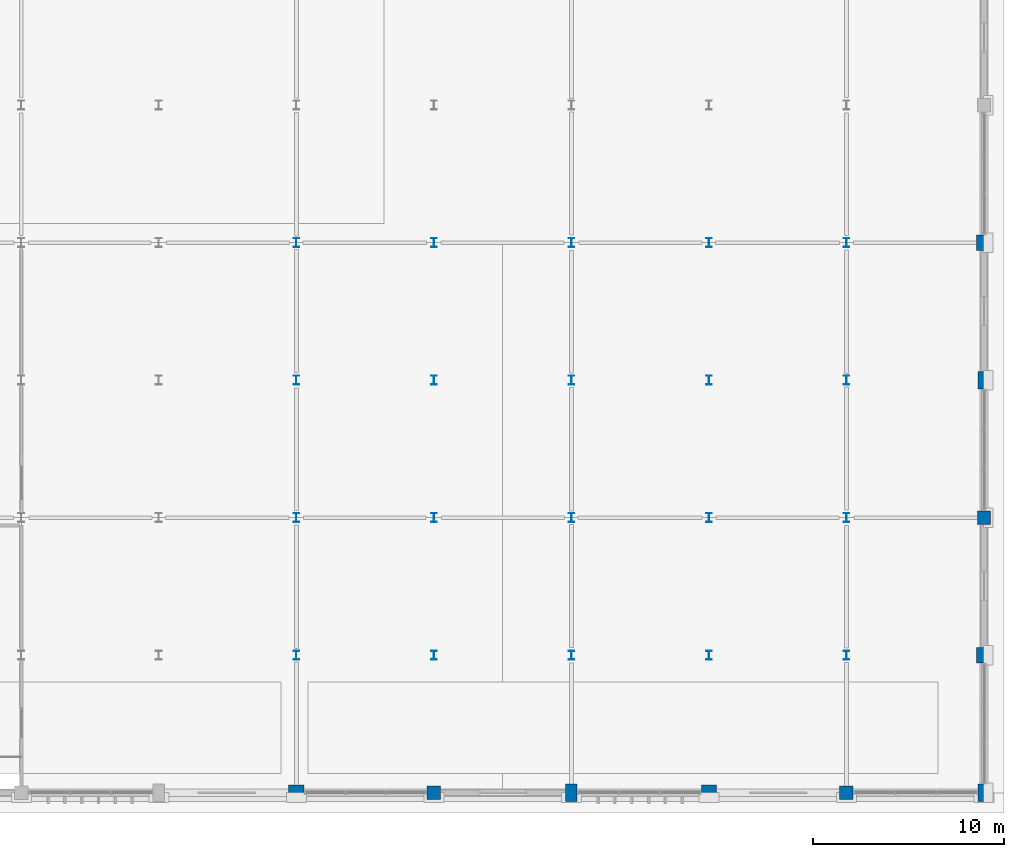
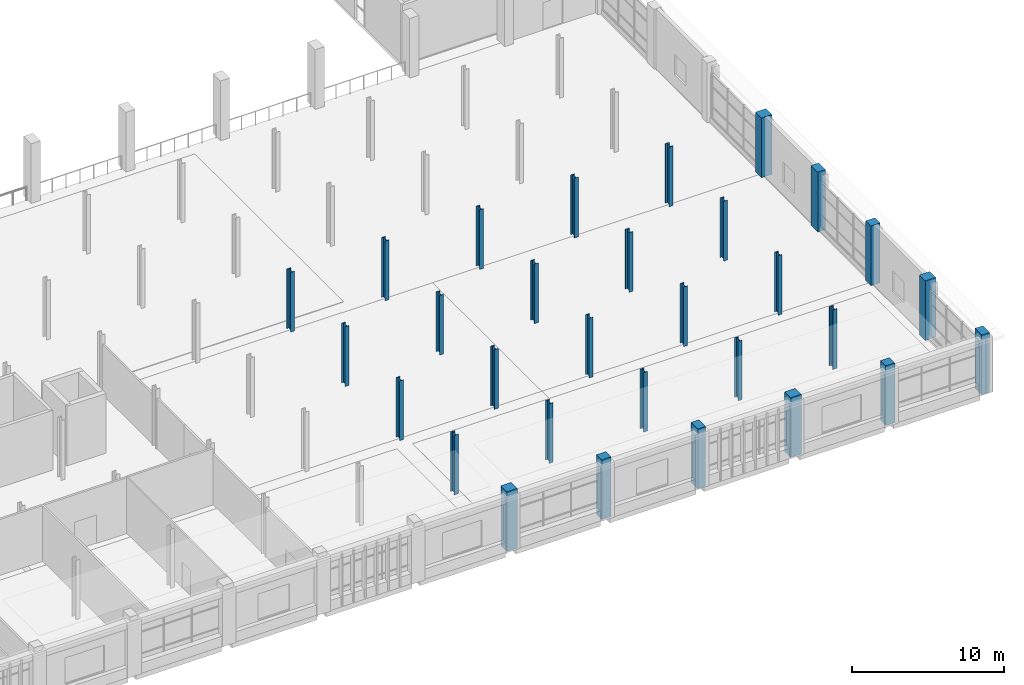
# One storey, part 13 of 82: 30 columns.
"""IFC4 building model written with IfcOpenShell, lengths in metres."""

import ifcopenshell
import ifcopenshell.guid

model = None  # the IFC model being written
_history = None  # IfcOwnerHistory: only IFC2X3 demands one
_inside = {}  # id of a spatial element -> (the spatial element, [elements in it])
_under = {}  # id of a project, library or spatial element -> (it, [spatial elements below it])
_declared = {}  # id of a project -> (the project, [libraries it declares])
_typed = {}  # id of a type object -> (the type object, [elements of that type])
_made_of = {}  # id of a material, layer set ... -> (it, [elements and type objects made of it])


def new_model(schema):
    """Start an empty IFC model of exactly this schema.

    Asked for "IFC4X3", IfcOpenShell would pick the latest addendum, in which some entities
    have other attributes; the version numbers below select the first issue.
    IFC2X3 requires an IfcOwnerHistory on every rooted entity: one is made here for all.
    """
    global model, _history
    if schema == "IFC4X3":
        model = ifcopenshell.file(schema_version=(4, 3, 0, 0))
    else:
        model = ifcopenshell.file(schema=schema)
    _inside.clear()
    _under.clear()
    _declared.clear()
    _typed.clear()
    _made_of.clear()
    _history = None
    if model.schema == "IFC2X3":
        org = make("IfcOrganization", Name="unknown")
        user = make(
            "IfcPersonAndOrganization",
            ThePerson=make("IfcPerson", FamilyName="unknown"),
            TheOrganization=org,
        )
        app = make(
            "IfcApplication",
            ApplicationDeveloper=org,
            Version="unknown",
            ApplicationFullName="unknown",
            ApplicationIdentifier="unknown",
        )
        _history = make(
            "IfcOwnerHistory",
            OwningUser=user,
            OwningApplication=app,
            ChangeAction="ADDED",
            CreationDate=0,
        )
    return model


def make(cls, **values):
    """One entity of the class cls with the attributes given. An attribute that is None is left unset."""
    return model.create_entity(
        cls, **{name: value for name, value in values.items() if value is not None}
    )


def rooted(cls, **values):
    """An entity with a GlobalId (a new one), such as an element, a storey or a relation."""
    return make(cls, GlobalId=ifcopenshell.guid.new(), OwnerHistory=_history, **values)


def si_unit(unit_type, name, prefix=None):
    """IfcSIUnit, for example si_unit("LENGTHUNIT", "METRE", prefix="MILLI")."""
    return make("IfcSIUnit", UnitType=unit_type, Prefix=prefix, Name=name)


def assignment(units):
    """IfcUnitAssignment: the units of a project."""
    return None if units is None else make("IfcUnitAssignment", Units=units)


def point(xyz):
    """IfcCartesianPoint."""
    return None if xyz is None else make("IfcCartesianPoint", Coordinates=xyz)


def direction(xyz):
    """IfcDirection."""
    return None if xyz is None else make("IfcDirection", DirectionRatios=xyz)


def frame(location, z_axis=None, x_axis=None):
    """IfcAxis2Placement3D, a coordinate frame: its origin and axes. An axis left out is left unset."""
    return make(
        "IfcAxis2Placement3D",
        Location=point(location),
        Axis=direction(z_axis),
        RefDirection=direction(x_axis),
    )


def frame_2d(location, x_axis=None):
    """IfcAxis2Placement2D, a coordinate frame in the plane: its origin and x axis."""
    return make(
        "IfcAxis2Placement2D", Location=point(location), RefDirection=direction(x_axis)
    )


def origin():
    """The frame at (0, 0, 0) with its axes left unset."""
    return frame((0.0, 0.0, 0.0))


def origin_2d():
    """The frame at (0, 0) in the plane with its x axis left unset."""
    return frame_2d((0.0, 0.0))


def place(relative_to, where):
    """IfcLocalPlacement: puts the frame where relative to a parent placement (None: the world)."""
    return make(
        "IfcLocalPlacement", PlacementRelTo=relative_to, RelativePlacement=where
    )


def context(
    kind, dimensions, precision=None, world=None, true_north=None, identifier=None
):
    """IfcGeometricRepresentationContext, for example the 3D "Model" context."""
    return make(
        "IfcGeometricRepresentationContext",
        ContextIdentifier=identifier,
        ContextType=kind,
        CoordinateSpaceDimension=dimensions,
        Precision=precision,
        WorldCoordinateSystem=world,
        TrueNorth=true_north,
    )


def subcontext(parent, identifier, kind, view, scale=None):
    """IfcGeometricRepresentationSubContext, for example "Body" below "Model"."""
    return make(
        "IfcGeometricRepresentationSubContext",
        ContextIdentifier=identifier,
        ContextType=kind,
        ParentContext=parent,
        TargetScale=scale,
        TargetView=view,
    )


def project(units=None, contexts=None):
    """IfcProject with its units and contexts."""
    return rooted(
        "IfcProject",
        Name="project",
        RepresentationContexts=contexts,
        UnitsInContext=assignment(units),
    )


def spatial(cls, under=None, at=None, **own):
    """A site, building, storey or space (cls), placed at a placement, below another one or the project."""
    s = rooted(cls, ObjectPlacement=at, **own)
    if under is not None:
        _under.setdefault(under.id(), (under, []))[1].append(s)
    return s


def profile(cls, at=None, kind="AREA", **sizes):
    """A parametric profile (cls). Its sizes go by their IFC names, for example OverallWidth=200.0."""
    return make(cls, ProfileType=kind, Position=at, **sizes)


def rectangle(**sizes):
    """IfcRectangleProfileDef."""
    return profile("IfcRectangleProfileDef", **sizes)


def i_section(**sizes):
    """IfcIShapeProfileDef."""
    return profile("IfcIShapeProfileDef", **sizes)


def extrude(swept, where, along, depth):
    """IfcExtrudedAreaSolid: the profile swept, set in the frame where, extruded along a direction by depth."""
    return make(
        "IfcExtrudedAreaSolid",
        SweptArea=swept,
        Position=where,
        ExtrudedDirection=direction(along),
        Depth=depth,
    )


def shape(context_of_items, identifier, shape_type, items):
    """IfcShapeRepresentation: the items that make up one representation, for example the "Body"."""
    return make(
        "IfcShapeRepresentation",
        ContextOfItems=context_of_items,
        RepresentationIdentifier=identifier,
        RepresentationType=shape_type,
        Items=items,
    )


def material(Name=None, Category=None):
    """IfcMaterial."""
    return make("IfcMaterial", Name=Name, Category=Category)


def material_profile(
    of_material, cross_section, Name=None, Category=None, Priority=None
):
    """IfcMaterialProfile: a cross section and its material."""
    return make(
        "IfcMaterialProfile",
        Name=Name,
        Material=of_material,
        Profile=cross_section,
        Priority=Priority,
        Category=Category,
    )


def profile_set(profiles, Name=None, composite=None):
    """IfcMaterialProfileSet."""
    return make(
        "IfcMaterialProfileSet",
        Name=Name,
        MaterialProfiles=profiles,
        CompositeProfile=composite,
    )


def made_of(thing, what):
    """Note that an element or type object is made of a material, layer set ...; save() writes the relation."""
    if what is not None:
        _made_of.setdefault(what.id(), (what, []))[1].append(thing)
    return thing


def type_object(cls, material=None, **own):
    """A type object (cls), such as IfcWallType, which elements share."""
    return made_of(rooted(cls, **own), material)


def element(
    cls,
    number,
    at=None,
    inside=None,
    cuts=None,
    type_object=None,
    material=None,
    context=None,
    identifier="Body",
    shape_type=None,
    held_by="IfcProductDefinitionShape",
    body=None,
    shapes=None,
    **own,
):
    """One element of the class cls, such as IfcWall. Its Tag is "e" and its number.

    at: its placement. inside: the storey or other place that contains it. cuts: it is an
    opening in that element (IfcRelVoidsElement). A single representation is given by context,
    identifier, shape_type and body (its items); several are given by shapes. held_by: the class
    of the entity that holds the representations. save() writes the other relations.
    """
    e = rooted(cls, Tag="e%d" % number, ObjectPlacement=at, **own)
    if body is not None:
        shapes = [shape(context, identifier, shape_type, body)]
    if shapes is not None:
        e.Representation = make(held_by, Representations=shapes)
    if inside is not None:
        _inside.setdefault(inside.id(), (inside, []))[1].append(e)
    if cuts is not None:
        rooted(
            "IfcRelVoidsElement", RelatingBuildingElement=cuts, RelatedOpeningElement=e
        )
    if type_object is not None:
        _typed.setdefault(type_object.id(), (type_object, []))[1].append(e)
    return made_of(e, material)


def aggregate(whole, parts):
    """IfcRelAggregates: a whole, such as a stair, and the parts it consists of."""
    return rooted("IfcRelAggregates", RelatingObject=whole, RelatedObjects=parts)


def save(model, path):
    """Write the relations noted so far, then the file.

    IfcRelAggregates (storeys below a building ...), IfcRelContainedInSpatialStructure (elements
    in a storey), IfcRelDefinesByType, IfcRelAssociatesMaterial and IfcRelDeclares: one each for
    every whole, place, type object, material and project.
    """
    for whole, parts in _under.values():
        aggregate(whole, parts)
    for where, things in _inside.values():
        rooted(
            "IfcRelContainedInSpatialStructure",
            RelatedElements=things,
            RelatingStructure=where,
        )
    for kind, things in _typed.values():
        rooted("IfcRelDefinesByType", RelatedObjects=things, RelatingType=kind)
    for what, things in _made_of.values():
        rooted("IfcRelAssociatesMaterial", RelatedObjects=things, RelatingMaterial=what)
    for by, libraries in _declared.values():
        rooted("IfcRelDeclares", RelatingContext=by, RelatedDefinitions=libraries)
    model.write(path)


model = new_model("IFC4")

# Units and contexts
model_context = context("Model", 3, precision=1e-05, world=origin(), true_north=direction((0.0, 1.0)))
body_context = subcontext(model_context, "Body", "Model", "MODEL_VIEW")
ifc_project = project(units=[si_unit("LENGTHUNIT", "METRE"), si_unit("AREAUNIT", "SQUARE_METRE"), si_unit("VOLUMEUNIT", "CUBIC_METRE"), si_unit("PLANEANGLEUNIT", "RADIAN"), si_unit("MASSUNIT", "GRAM", prefix="KILO")], contexts=[model_context])

# Site, building, storey
site_placement = place(None, origin())
site = spatial("IfcSite", under=ifc_project, at=site_placement, CompositionType="ELEMENT")
building_placement = place(site_placement, origin())
building = spatial("IfcBuilding", under=site, at=building_placement, Name="Sardonyx Promenade Sports Hall", CompositionType="ELEMENT")
storey_placement = place(building_placement, frame((0.0, 0.0, 11.199951171875)))
storey = spatial("IfcBuildingStorey", under=building, at=storey_placement, Name="L02", CompositionType="ELEMENT", Elevation=11.199951171875)

# Columns
ifc_material_1 = material(Name="Concrete C40/50", Category="concrete")
ifc_material_profile_1 = material_profile(ifc_material_1, rectangle(XDim=0.60009765625, YDim=0.89990234375, at=origin_2d()))
ifc_profile_set_1 = profile_set([ifc_material_profile_1], Name="Concrete C40/50")
column_type_1 = type_object("IfcColumnType", Name="Col_Ext_RC600x900", PredefinedType="COLUMN", material=ifc_profile_set_1)
for number, where, z_axis, x_axis, name in (
    (1, (144.0, 0.0, 0.0), (0.0, 0.0, 1.0), (1.0, 0.0, 0.0), "Column CE12 L02 (144.0,0.0)"),
    (2, (165.60009765625, 0.0, 0.0), (0.0, 0.0, 1.0), (1.0, 0.0, 0.0), "Column CE12 L02 (165.6,0.0)"),
    (3, (165.60009765625, 21.60009765625, 0.0), (0.0, 0.0, 1.0), (1.0, 0.0, 0.0), "Column CE12 L02 (165.6,21.6)"),
):
    element("IfcColumn", number, at=place(storey_placement, frame(where, z_axis=z_axis, x_axis=x_axis)), inside=storey, type_object=column_type_1, Name=name, PredefinedType="COLUMN", context=body_context, shape_type="SweptSolid", body=[
        extrude(rectangle(XDim=0.60009765625, YDim=0.89990234375, at=origin_2d()), origin(), (0.0, 0.0, 1.0), 4.800048828125),
    ])
ifc_material_2 = material(Name="Concrete C40/50", Category="concrete")
ifc_material_profile_2 = material_profile(ifc_material_2, rectangle(XDim=0.699951171875, YDim=0.699951171875, at=origin_2d()))
ifc_profile_set_2 = profile_set([ifc_material_profile_2], Name="Concrete C40/50")
column_type_2 = type_object("IfcColumnType", Name="Col_Ext_RC700", PredefinedType="COLUMN", material=ifc_profile_set_2)
for number, where, z_axis, x_axis, name in (
    (4, (136.800048828125, 0.0, 0.0), (0.0, 0.0, 1.0), (1.0, 0.0, 0.0), "Column CE05 L02 (136.8,0.0)"),
    (5, (158.39990234375, 0.0, 0.0), (0.0, 0.0, 1.0), (1.0, 0.0, 0.0), "Column CE05 L02 (158.4,0.0)"),
    (6, (165.60009765625, 14.39990234375, 0.0), (0.0, 0.0, 1.0), (1.0, 0.0, 0.0), "Column CE05 L02 (165.6,14.4)"),
):
    element("IfcColumn", number, at=place(storey_placement, frame(where, z_axis=z_axis, x_axis=x_axis)), inside=storey, type_object=column_type_2, Name=name, PredefinedType="COLUMN", context=body_context, shape_type="SweptSolid", body=[
        extrude(rectangle(XDim=0.699951171875, YDim=0.699951171875, at=origin_2d()), origin(), (0.0, 0.0, 1.0), 4.800048828125),
    ])
ifc_material_3 = material(Name="Concrete C50/60", Category="concrete")
ifc_material_profile_3 = material_profile(ifc_material_3, rectangle(XDim=0.800048828125, YDim=0.800048828125, at=origin_2d()))
ifc_profile_set_3 = profile_set([ifc_material_profile_3], Name="Concrete C50/60")
column_type_3 = type_object("IfcColumnType", Name="Col_Ext_RC800", PredefinedType="COLUMN", material=ifc_profile_set_3)
for number, where, z_axis, x_axis, name in (
    (7, (129.60009765625, 0.0, 0.0), (0.0, 0.0, 1.0), (1.0, 0.0, 0.0), "Column CE13 L02 (129.6,0.0)"),
    (8, (151.199951171875, 0.0, 0.0), (0.0, 0.0, 1.0), (1.0, 0.0, 0.0), "Column CE13 L02 (151.2,0.0)"),
    (9, (165.60009765625, 7.199951171875, 0.0), (0.0, 0.0, 1.0), (1.0, 0.0, 0.0), "Column CE13 L02 (165.6,7.2)"),
    (10, (165.60009765625, 28.800048828125, 0.0), (0.0, 0.0, 1.0), (1.0, 0.0, 0.0), "Column CE13 L02 (165.6,28.8)"),
):
    element("IfcColumn", number, at=place(storey_placement, frame(where, z_axis=z_axis, x_axis=x_axis)), inside=storey, type_object=column_type_3, Name=name, PredefinedType="COLUMN", context=body_context, shape_type="SweptSolid", body=[
        extrude(rectangle(XDim=0.800048828125, YDim=0.800048828125, at=origin_2d()), origin(), (0.0, 0.0, 1.0), 4.800048828125),
    ])
ifc_material_4 = material(Name="Steel S355JR", Category="steel")
ifc_material_profile_4 = material_profile(ifc_material_4, i_section(OverallWidth=0.300048828125, OverallDepth=0.489990234375, WebThickness=0.011962890625, FlangeThickness=0.02294921875, at=origin_2d()))
ifc_profile_set_4 = profile_set([ifc_material_profile_4], Name="Steel S355JR")
column_type_4 = type_object("IfcColumnType", Name="Col_Int_HEA500", PredefinedType="COLUMN", material=ifc_profile_set_4)
for number, where, z_axis, x_axis, name in (
    (11, (129.60009765625, 7.199951171875, 0.0), (0.0, 0.0, 1.0), (1.0, 0.0, 0.0), "Column CI08 L02 (129.6,7.2)"),
    (12, (129.60009765625, 14.39990234375, 0.0), (0.0, 0.0, 1.0), (1.0, 0.0, 0.0), "Column CI08 L02 (129.6,14.4)"),
    (13, (129.60009765625, 21.60009765625, 0.0), (0.0, 0.0, 1.0), (1.0, 0.0, 0.0), "Column CI08 L02 (129.6,21.6)"),
    (14, (129.60009765625, 28.800048828125, 0.0), (0.0, 0.0, 1.0), (1.0, 0.0, 0.0), "Column CI08 L02 (129.6,28.8)"),
    (15, (136.800048828125, 7.199951171875, 0.0), (0.0, 0.0, 1.0), (1.0, 0.0, 0.0), "Column CI08 L02 (136.8,7.2)"),
    (16, (136.800048828125, 14.39990234375, 0.0), (0.0, 0.0, 1.0), (1.0, 0.0, 0.0), "Column CI08 L02 (136.8,14.4)"),
    (17, (136.800048828125, 21.60009765625, 0.0), (0.0, 0.0, 1.0), (1.0, 0.0, 0.0), "Column CI08 L02 (136.8,21.6)"),
    (18, (136.800048828125, 28.800048828125, 0.0), (0.0, 0.0, 1.0), (1.0, 0.0, 0.0), "Column CI08 L02 (136.8,28.8)"),
    (19, (144.0, 7.199951171875, 0.0), (0.0, 0.0, 1.0), (1.0, 0.0, 0.0), "Column CI08 L02 (144.0,7.2)"),
    (20, (144.0, 14.39990234375, 0.0), (0.0, 0.0, 1.0), (1.0, 0.0, 0.0), "Column CI08 L02 (144.0,14.4)"),
    (21, (144.0, 21.60009765625, 0.0), (0.0, 0.0, 1.0), (1.0, 0.0, 0.0), "Column CI08 L02 (144.0,21.6)"),
    (22, (144.0, 28.800048828125, 0.0), (0.0, 0.0, 1.0), (1.0, 0.0, 0.0), "Column CI08 L02 (144.0,28.8)"),
    (23, (151.199951171875, 7.199951171875, 0.0), (0.0, 0.0, 1.0), (1.0, 0.0, 0.0), "Column CI08 L02 (151.2,7.2)"),
    (24, (151.199951171875, 14.39990234375, 0.0), (0.0, 0.0, 1.0), (1.0, 0.0, 0.0), "Column CI08 L02 (151.2,14.4)"),
    (25, (151.199951171875, 21.60009765625, 0.0), (0.0, 0.0, 1.0), (1.0, 0.0, 0.0), "Column CI08 L02 (151.2,21.6)"),
    (26, (151.199951171875, 28.800048828125, 0.0), (0.0, 0.0, 1.0), (1.0, 0.0, 0.0), "Column CI08 L02 (151.2,28.8)"),
    (27, (158.39990234375, 7.199951171875, 0.0), (0.0, 0.0, 1.0), (1.0, 0.0, 0.0), "Column CI08 L02 (158.4,7.2)"),
    (28, (158.39990234375, 14.39990234375, 0.0), (0.0, 0.0, 1.0), (1.0, 0.0, 0.0), "Column CI08 L02 (158.4,14.4)"),
    (29, (158.39990234375, 21.60009765625, 0.0), (0.0, 0.0, 1.0), (1.0, 0.0, 0.0), "Column CI08 L02 (158.4,21.6)"),
    (30, (158.39990234375, 28.800048828125, 0.0), (0.0, 0.0, 1.0), (1.0, 0.0, 0.0), "Column CI08 L02 (158.4,28.8)"),
):
    element("IfcColumn", number, at=place(storey_placement, frame(where, z_axis=z_axis, x_axis=x_axis)), inside=storey, type_object=column_type_4, Name=name, PredefinedType="COLUMN", context=body_context, shape_type="SweptSolid", body=[
        extrude(i_section(OverallWidth=0.300048828125, OverallDepth=0.489990234375, WebThickness=0.011962890625, FlangeThickness=0.02294921875, at=origin_2d()), origin(), (0.0, 0.0, 1.0), 4.800048828125),
    ])

save(model, "model.ifc")
